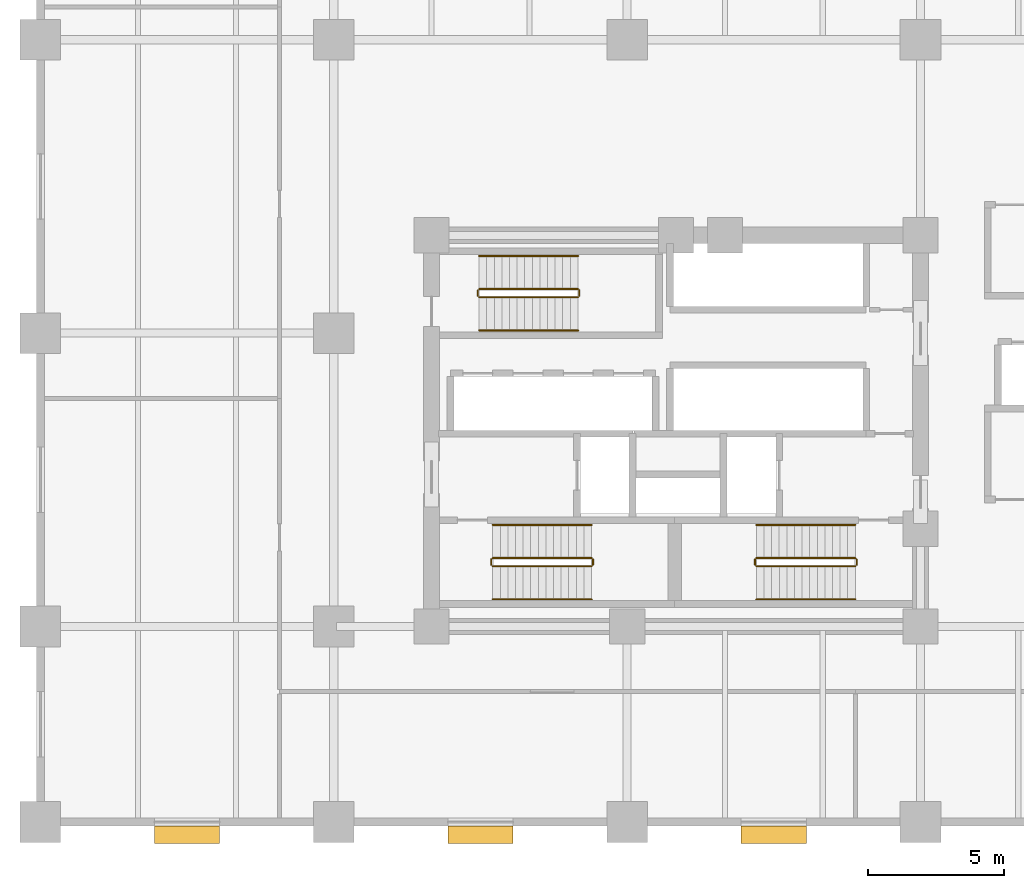
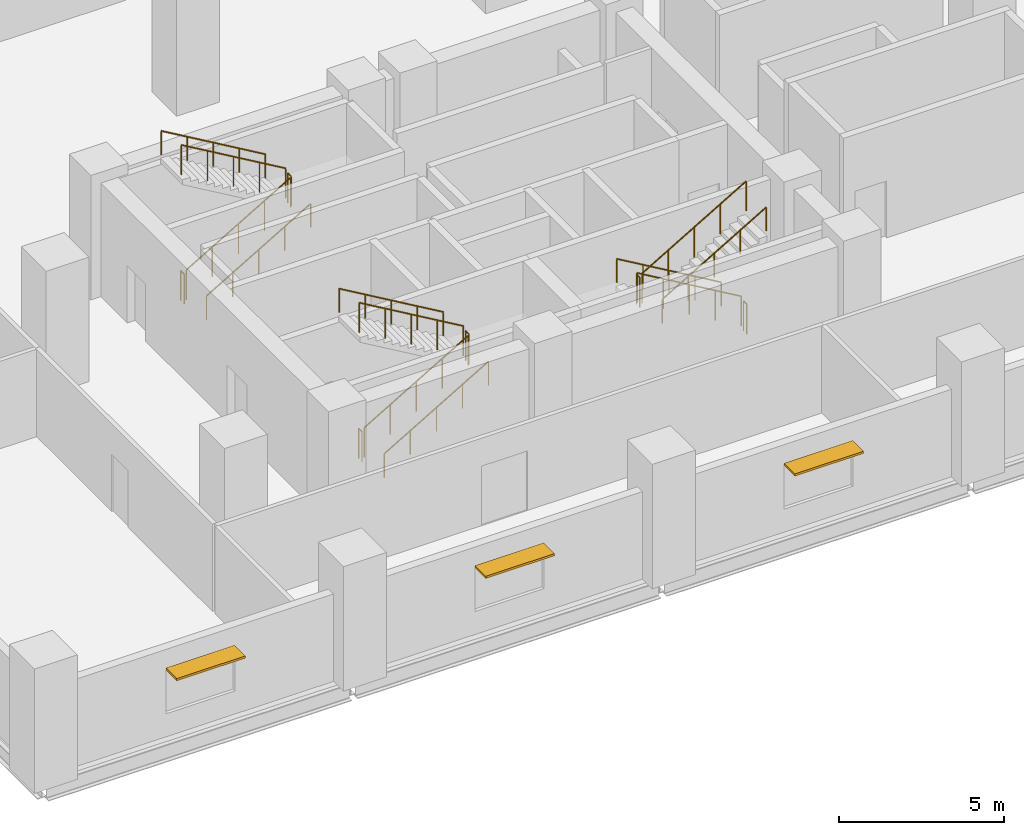
# One storey, part 7 of 8: 18 railings, 3 shading devices.
"""IFC4 building model written with IfcOpenShell, lengths in metres."""

from ifc_helpers import new_model, si_unit, direction, frame, origin, origin_2d, place, context, subcontext, project, spatial, rectangle, circle, extrude, material, layer, layer_set, type_object, element, save


model = new_model("IFC4")

# Units and contexts
model_context = context("Model", 3, precision=1e-05, world=origin(), true_north=direction((0.0, 1.0)))
body_context = subcontext(model_context, "Body", "Model", "MODEL_VIEW")
ifc_project = project(units=[si_unit("LENGTHUNIT", "METRE"), si_unit("AREAUNIT", "SQUARE_METRE"), si_unit("VOLUMEUNIT", "CUBIC_METRE"), si_unit("PLANEANGLEUNIT", "RADIAN"), si_unit("MASSUNIT", "GRAM", prefix="KILO")], contexts=[model_context])

# Site, building, storey
site_placement = place(None, origin())
site = spatial("IfcSite", under=ifc_project, at=site_placement, CompositionType="ELEMENT")
building_placement = place(site_placement, origin())
building = spatial("IfcBuilding", under=site, at=building_placement, Name="Solnavia Interchange Tower", CompositionType="ELEMENT")
storey_placement = place(building_placement, frame((0.0, 0.0, 19.39990234375)))
storey = spatial("IfcBuildingStorey", under=building, at=storey_placement, Name="L04", CompositionType="ELEMENT", Elevation=19.39990234375)

# Railings
ifc_material_1 = material(Name="Painted Steel Balustrade", Category="steel")
railing_type_1 = type_object("IfcRailingType", Name="Railing-StairGuard-1100", PredefinedType="GUARDRAIL", material=ifc_material_1)
railing_1_placement = place(storey_placement, frame((16.64990234375, 13.02001953125, 0.164306640625)))
element("IfcRailing", 1, at=railing_1_placement, inside=storey, type_object=railing_type_1, Name="L04 ST-1 stair guard 1", PredefinedType="GUARDRAIL", context=body_context, shape_type="SweptSolid", body=[
    extrude(circle(Radius=0.02392578125, at=origin_2d()), frame((0.0, 0.0, 1.09619140625), z_axis=(0.862504707072, 0.0, 0.506049039401), x_axis=(0.0, 1.0, 0.0)), (0.0, 0.0, 1.0), 4.220458984375),
    extrude(circle(Radius=0.02099609375, at=origin_2d()), origin(), (0.0, 0.0, 1.0), 1.072021484375),
    extrude(circle(Radius=0.02099609375, at=origin_2d()), frame((0.91015625, 0.0, 0.533935546875)), (0.0, 0.0, 1.0), 1.072021484375),
    extrude(circle(Radius=0.02099609375, at=origin_2d()), frame((1.820068359375, 0.0, 1.06787109375)), (0.0, 0.0, 1.0), 1.072021484375),
    extrude(circle(Radius=0.02099609375, at=origin_2d()), frame((2.72998046875, 0.0, 1.601806640625)), (0.0, 0.0, 1.0), 1.072021484375),
    extrude(circle(Radius=0.02099609375, at=origin_2d()), frame((3.64013671875, 0.0, 2.1357421875)), (0.0, 0.0, 1.0), 1.072021484375),
])
railing_2_placement = place(storey_placement, frame((20.340087890625, 13.070068359375, 2.300048828125)))
element("IfcRailing", 2, at=railing_2_placement, inside=storey, type_object=railing_type_1, Name="L04 ST-1 stair guard 2", PredefinedType="GUARDRAIL", context=body_context, shape_type="SweptSolid", body=[
    extrude(circle(Radius=0.02392578125, at=origin_2d()), frame((0.0, 0.0, 1.09619140625), z_axis=(0.0, 1.0, 0.0), x_axis=(-1.0, 0.0, 0.0)), (0.0, 0.0, 1.0), 0.199951171875),
    extrude(circle(Radius=0.02099609375, at=origin_2d()), origin(), (0.0, 0.0, 1.0), 1.072021484375),
    extrude(circle(Radius=0.02099609375, at=origin_2d()), frame((0.0, 0.199951171875, 0.0)), (0.0, 0.0, 1.0), 1.072021484375),
])
railing_3_placement = place(storey_placement, frame((20.2900390625, 13.320068359375, 2.46435546875)))
element("IfcRailing", 3, at=railing_3_placement, inside=storey, type_object=railing_type_1, Name="L04 ST-1 stair guard 3", PredefinedType="GUARDRAIL", context=body_context, shape_type="SweptSolid", body=[
    extrude(circle(Radius=0.02392578125, at=origin_2d()), frame((0.0, 0.0, 1.09619140625), z_axis=(-0.862504707072, 0.0, 0.506049039401), x_axis=(0.0, -1.0, 0.0)), (0.0, 0.0, 1.0), 4.220458984375),
    extrude(circle(Radius=0.02099609375, at=origin_2d()), origin(), (0.0, 0.0, 1.0), 1.072021484375),
    extrude(circle(Radius=0.02099609375, at=origin_2d()), frame((-0.91015625, 0.0, 0.533935546875)), (0.0, 0.0, 1.0), 1.072021484375),
    extrude(circle(Radius=0.02099609375, at=origin_2d()), frame((-1.820068359375, 0.0, 1.06787109375)), (0.0, 0.0, 1.0), 1.072021484375),
    extrude(circle(Radius=0.02099609375, at=origin_2d()), frame((-2.72998046875, 0.0, 1.601806640625)), (0.0, 0.0, 1.0), 1.072021484375),
    extrude(circle(Radius=0.02099609375, at=origin_2d()), frame((-3.64013671875, 0.0, 2.1357421875)), (0.0, 0.0, 1.0), 1.072021484375),
])
railing_4_placement = place(storey_placement, frame((16.60009765625, 13.070068359375, 0.0)))
element("IfcRailing", 4, at=railing_4_placement, inside=storey, type_object=railing_type_1, Name="L04 ST-1 stair guard 4", PredefinedType="GUARDRAIL", context=body_context, shape_type="SweptSolid", body=[
    extrude(circle(Radius=0.02392578125, at=origin_2d()), frame((0.0, 0.0, 1.09619140625), z_axis=(0.0, 1.0, 0.0), x_axis=(-1.0, 0.0, 0.0)), (0.0, 0.0, 1.0), 0.199951171875),
    extrude(circle(Radius=0.02099609375, at=origin_2d()), origin(), (0.0, 0.0, 1.0), 1.072021484375),
    extrude(circle(Radius=0.02099609375, at=origin_2d()), frame((0.0, 0.199951171875, 0.0)), (0.0, 0.0, 1.0), 1.072021484375),
])
railing_5_placement = place(storey_placement, frame((30.0, 13.320068359375, 0.164306640625)))
element("IfcRailing", 5, at=railing_5_placement, inside=storey, type_object=railing_type_1, Name="L04 ST-2 stair guard 1", PredefinedType="GUARDRAIL", context=body_context, shape_type="SweptSolid", body=[
    extrude(circle(Radius=0.02392578125, at=origin_2d()), frame((0.0, 0.0, 1.09619140625), z_axis=(-0.862489892076, 0.0, 0.506074289079), x_axis=(0.0, -1.0, 0.0)), (0.0, 0.0, 1.0), 4.22021484375),
    extrude(circle(Radius=0.02099609375, at=origin_2d()), origin(), (0.0, 0.0, 1.0), 1.072021484375),
    extrude(circle(Radius=0.02099609375, at=origin_2d()), frame((-0.909912109375, 0.0, 0.533935546875)), (0.0, 0.0, 1.0), 1.072021484375),
    extrude(circle(Radius=0.02099609375, at=origin_2d()), frame((-1.81982421875, 0.0, 1.06787109375)), (0.0, 0.0, 1.0), 1.072021484375),
    extrude(circle(Radius=0.02099609375, at=origin_2d()), frame((-2.72998046875, 0.0, 1.601806640625)), (0.0, 0.0, 1.0), 1.072021484375),
    extrude(circle(Radius=0.02099609375, at=origin_2d()), frame((-3.639892578125, 0.0, 2.1357421875)), (0.0, 0.0, 1.0), 1.072021484375),
])
railing_6_placement = place(storey_placement, frame((26.31005859375, 13.27001953125, 2.300048828125)))
element("IfcRailing", 6, at=railing_6_placement, inside=storey, type_object=railing_type_1, Name="L04 ST-2 stair guard 2", PredefinedType="GUARDRAIL", context=body_context, shape_type="SweptSolid", body=[
    extrude(circle(Radius=0.02392578125, at=origin_2d()), frame((0.0, 0.0, 1.09619140625), z_axis=(0.0, -1.0, 0.0), x_axis=(1.0, 0.0, 0.0)), (0.0, 0.0, 1.0), 0.199951171875),
    extrude(circle(Radius=0.02099609375, at=origin_2d()), origin(), (0.0, 0.0, 1.0), 1.072021484375),
    extrude(circle(Radius=0.02099609375, at=origin_2d()), frame((0.0, -0.199951171875, 0.0)), (0.0, 0.0, 1.0), 1.072021484375),
])
railing_7_placement = place(storey_placement, frame((26.360107421875, 13.02001953125, 2.46435546875)))
element("IfcRailing", 7, at=railing_7_placement, inside=storey, type_object=railing_type_1, Name="L04 ST-2 stair guard 3", PredefinedType="GUARDRAIL", context=body_context, shape_type="SweptSolid", body=[
    extrude(circle(Radius=0.02392578125, at=origin_2d()), frame((0.0, 0.0, 1.09619140625), z_axis=(0.862489892076, 0.0, 0.506074289079), x_axis=(0.0, 1.0, 0.0)), (0.0, 0.0, 1.0), 4.22021484375),
    extrude(circle(Radius=0.02099609375, at=origin_2d()), origin(), (0.0, 0.0, 1.0), 1.072021484375),
    extrude(circle(Radius=0.02099609375, at=origin_2d()), frame((0.909912109375, 0.0, 0.533935546875)), (0.0, 0.0, 1.0), 1.072021484375),
    extrude(circle(Radius=0.02099609375, at=origin_2d()), frame((1.81982421875, 0.0, 1.06787109375)), (0.0, 0.0, 1.0), 1.072021484375),
    extrude(circle(Radius=0.02099609375, at=origin_2d()), frame((2.72998046875, 0.0, 1.601806640625)), (0.0, 0.0, 1.0), 1.072021484375),
    extrude(circle(Radius=0.02099609375, at=origin_2d()), frame((3.639892578125, 0.0, 2.1357421875)), (0.0, 0.0, 1.0), 1.072021484375),
])
railing_8_placement = place(storey_placement, frame((30.050048828125, 13.27001953125, 0.0)))
element("IfcRailing", 8, at=railing_8_placement, inside=storey, type_object=railing_type_1, Name="L04 ST-2 stair guard 4", PredefinedType="GUARDRAIL", context=body_context, shape_type="SweptSolid", body=[
    extrude(circle(Radius=0.02392578125, at=origin_2d()), frame((0.0, 0.0, 1.09619140625), z_axis=(0.0, -1.0, 0.0), x_axis=(1.0, 0.0, 0.0)), (0.0, 0.0, 1.0), 0.199951171875),
    extrude(circle(Radius=0.02099609375, at=origin_2d()), origin(), (0.0, 0.0, 1.0), 1.072021484375),
    extrude(circle(Radius=0.02099609375, at=origin_2d()), frame((0.0, -0.199951171875, 0.0)), (0.0, 0.0, 1.0), 1.072021484375),
])
railing_9_placement = place(storey_placement, frame((16.14990234375, 22.919921875, 0.164306640625)))
element("IfcRailing", 9, at=railing_9_placement, inside=storey, type_object=railing_type_1, Name="L04 ST-3 stair guard 1", PredefinedType="GUARDRAIL", context=body_context, shape_type="SweptSolid", body=[
    extrude(circle(Radius=0.02392578125, at=origin_2d()), frame((0.0, 0.0, 1.09619140625), z_axis=(0.862504707072, 0.0, 0.506049039401), x_axis=(0.0, 1.0, 0.0)), (0.0, 0.0, 1.0), 4.220458984375),
    extrude(circle(Radius=0.02099609375, at=origin_2d()), origin(), (0.0, 0.0, 1.0), 1.072021484375),
    extrude(circle(Radius=0.02099609375, at=origin_2d()), frame((0.91015625, 0.0, 0.533935546875)), (0.0, 0.0, 1.0), 1.072021484375),
    extrude(circle(Radius=0.02099609375, at=origin_2d()), frame((1.820068359375, 0.0, 1.06787109375)), (0.0, 0.0, 1.0), 1.072021484375),
    extrude(circle(Radius=0.02099609375, at=origin_2d()), frame((2.72998046875, 0.0, 1.601806640625)), (0.0, 0.0, 1.0), 1.072021484375),
    extrude(circle(Radius=0.02099609375, at=origin_2d()), frame((3.64013671875, 0.0, 2.1357421875)), (0.0, 0.0, 1.0), 1.072021484375),
])
railing_10_placement = place(storey_placement, frame((19.840087890625, 22.969970703125, 2.300048828125)))
element("IfcRailing", 10, at=railing_10_placement, inside=storey, type_object=railing_type_1, Name="L04 ST-3 stair guard 2", PredefinedType="GUARDRAIL", context=body_context, shape_type="SweptSolid", body=[
    extrude(circle(Radius=0.02392578125, at=origin_2d()), frame((0.0, 0.0, 1.09619140625), z_axis=(0.0, 1.0, 0.0), x_axis=(-1.0, 0.0, 0.0)), (0.0, 0.0, 1.0), 0.199951171875),
    extrude(circle(Radius=0.02099609375, at=origin_2d()), origin(), (0.0, 0.0, 1.0), 1.072021484375),
    extrude(circle(Radius=0.02099609375, at=origin_2d()), frame((0.0, 0.199951171875, 0.0)), (0.0, 0.0, 1.0), 1.072021484375),
])
railing_11_placement = place(storey_placement, frame((19.7900390625, 23.219970703125, 2.46435546875)))
element("IfcRailing", 11, at=railing_11_placement, inside=storey, type_object=railing_type_1, Name="L04 ST-3 stair guard 3", PredefinedType="GUARDRAIL", context=body_context, shape_type="SweptSolid", body=[
    extrude(circle(Radius=0.02392578125, at=origin_2d()), frame((0.0, 0.0, 1.09619140625), z_axis=(-0.862504707072, 0.0, 0.506049039401), x_axis=(0.0, -1.0, 0.0)), (0.0, 0.0, 1.0), 4.220458984375),
    extrude(circle(Radius=0.02099609375, at=origin_2d()), origin(), (0.0, 0.0, 1.0), 1.072021484375),
    extrude(circle(Radius=0.02099609375, at=origin_2d()), frame((-0.91015625, 0.0, 0.533935546875)), (0.0, 0.0, 1.0), 1.072021484375),
    extrude(circle(Radius=0.02099609375, at=origin_2d()), frame((-1.820068359375, 0.0, 1.06787109375)), (0.0, 0.0, 1.0), 1.072021484375),
    extrude(circle(Radius=0.02099609375, at=origin_2d()), frame((-2.72998046875, 0.0, 1.601806640625)), (0.0, 0.0, 1.0), 1.072021484375),
    extrude(circle(Radius=0.02099609375, at=origin_2d()), frame((-3.64013671875, 0.0, 2.1357421875)), (0.0, 0.0, 1.0), 1.072021484375),
])
railing_12_placement = place(storey_placement, frame((16.10009765625, 22.969970703125, 0.0)))
element("IfcRailing", 12, at=railing_12_placement, inside=storey, type_object=railing_type_1, Name="L04 ST-3 stair guard 4", PredefinedType="GUARDRAIL", context=body_context, shape_type="SweptSolid", body=[
    extrude(circle(Radius=0.02392578125, at=origin_2d()), frame((0.0, 0.0, 1.09619140625), z_axis=(0.0, 1.0, 0.0), x_axis=(-1.0, 0.0, 0.0)), (0.0, 0.0, 1.0), 0.199951171875),
    extrude(circle(Radius=0.02099609375, at=origin_2d()), origin(), (0.0, 0.0, 1.0), 1.072021484375),
    extrude(circle(Radius=0.02099609375, at=origin_2d()), frame((0.0, 0.199951171875, 0.0)), (0.0, 0.0, 1.0), 1.072021484375),
])
ifc_material_2 = material(Name="Brushed Stainless Steel", Category="steel")
railing_type_2 = type_object("IfcRailingType", Name="Railing-StairHandrail-900", PredefinedType="HANDRAIL", material=ifc_material_2)
railing_13_placement = place(storey_placement, frame((16.64990234375, 11.800048828125, 0.164306640625)))
element("IfcRailing", 13, at=railing_13_placement, inside=storey, type_object=railing_type_2, Name="L04 ST-1 stair handrail 1", PredefinedType="HANDRAIL", context=body_context, shape_type="SweptSolid", body=[
    extrude(circle(Radius=0.02392578125, at=origin_2d()), frame((0.0, 0.0, 0.8759765625), z_axis=(0.862504707072, 0.0, 0.506049039401), x_axis=(0.0, 1.0, 0.0)), (0.0, 0.0, 1.0), 4.220458984375),
    extrude(circle(Radius=0.02099609375, at=origin_2d()), origin(), (0.0, 0.0, 1.0), 0.851806640625),
    extrude(circle(Radius=0.02099609375, at=origin_2d()), frame((0.91015625, 0.0, 0.533935546875)), (0.0, 0.0, 1.0), 0.851806640625),
    extrude(circle(Radius=0.02099609375, at=origin_2d()), frame((1.820068359375, 0.0, 1.06787109375)), (0.0, 0.0, 1.0), 0.851806640625),
    extrude(circle(Radius=0.02099609375, at=origin_2d()), frame((2.72998046875, 0.0, 1.601806640625)), (0.0, 0.0, 1.0), 0.851806640625),
    extrude(circle(Radius=0.02099609375, at=origin_2d()), frame((3.64013671875, 0.0, 2.1357421875)), (0.0, 0.0, 1.0), 0.851806640625),
])
railing_14_placement = place(storey_placement, frame((20.2900390625, 14.5400390625, 2.46435546875)))
element("IfcRailing", 14, at=railing_14_placement, inside=storey, type_object=railing_type_2, Name="L04 ST-1 stair handrail 2", PredefinedType="HANDRAIL", context=body_context, shape_type="SweptSolid", body=[
    extrude(circle(Radius=0.02392578125, at=origin_2d()), frame((0.0, 0.0, 0.8759765625), z_axis=(-0.862504707072, 0.0, 0.506049039401), x_axis=(0.0, -1.0, 0.0)), (0.0, 0.0, 1.0), 4.220458984375),
    extrude(circle(Radius=0.02099609375, at=origin_2d()), origin(), (0.0, 0.0, 1.0), 0.851806640625),
    extrude(circle(Radius=0.02099609375, at=origin_2d()), frame((-0.91015625, 0.0, 0.533935546875)), (0.0, 0.0, 1.0), 0.851806640625),
    extrude(circle(Radius=0.02099609375, at=origin_2d()), frame((-1.820068359375, 0.0, 1.06787109375)), (0.0, 0.0, 1.0), 0.851806640625),
    extrude(circle(Radius=0.02099609375, at=origin_2d()), frame((-2.72998046875, 0.0, 1.601806640625)), (0.0, 0.0, 1.0), 0.851806640625),
    extrude(circle(Radius=0.02099609375, at=origin_2d()), frame((-3.64013671875, 0.0, 2.1357421875)), (0.0, 0.0, 1.0), 0.851806640625),
])
railing_15_placement = place(storey_placement, frame((30.0, 14.5400390625, 0.164306640625)))
element("IfcRailing", 15, at=railing_15_placement, inside=storey, type_object=railing_type_2, Name="L04 ST-2 stair handrail 1", PredefinedType="HANDRAIL", context=body_context, shape_type="SweptSolid", body=[
    extrude(circle(Radius=0.02392578125, at=origin_2d()), frame((0.0, 0.0, 0.8759765625), z_axis=(-0.862489892076, 0.0, 0.506074289079), x_axis=(0.0, -1.0, 0.0)), (0.0, 0.0, 1.0), 4.22021484375),
    extrude(circle(Radius=0.02099609375, at=origin_2d()), origin(), (0.0, 0.0, 1.0), 0.851806640625),
    extrude(circle(Radius=0.02099609375, at=origin_2d()), frame((-0.909912109375, 0.0, 0.533935546875)), (0.0, 0.0, 1.0), 0.851806640625),
    extrude(circle(Radius=0.02099609375, at=origin_2d()), frame((-1.81982421875, 0.0, 1.06787109375)), (0.0, 0.0, 1.0), 0.851806640625),
    extrude(circle(Radius=0.02099609375, at=origin_2d()), frame((-2.72998046875, 0.0, 1.601806640625)), (0.0, 0.0, 1.0), 0.851806640625),
    extrude(circle(Radius=0.02099609375, at=origin_2d()), frame((-3.639892578125, 0.0, 2.1357421875)), (0.0, 0.0, 1.0), 0.851806640625),
])
railing_16_placement = place(storey_placement, frame((26.360107421875, 11.800048828125, 2.46435546875)))
element("IfcRailing", 16, at=railing_16_placement, inside=storey, type_object=railing_type_2, Name="L04 ST-2 stair handrail 2", PredefinedType="HANDRAIL", context=body_context, shape_type="SweptSolid", body=[
    extrude(circle(Radius=0.02392578125, at=origin_2d()), frame((0.0, 0.0, 0.8759765625), z_axis=(0.862489892076, 0.0, 0.506074289079), x_axis=(0.0, 1.0, 0.0)), (0.0, 0.0, 1.0), 4.22021484375),
    extrude(circle(Radius=0.02099609375, at=origin_2d()), origin(), (0.0, 0.0, 1.0), 0.851806640625),
    extrude(circle(Radius=0.02099609375, at=origin_2d()), frame((0.909912109375, 0.0, 0.533935546875)), (0.0, 0.0, 1.0), 0.851806640625),
    extrude(circle(Radius=0.02099609375, at=origin_2d()), frame((1.81982421875, 0.0, 1.06787109375)), (0.0, 0.0, 1.0), 0.851806640625),
    extrude(circle(Radius=0.02099609375, at=origin_2d()), frame((2.72998046875, 0.0, 1.601806640625)), (0.0, 0.0, 1.0), 0.851806640625),
    extrude(circle(Radius=0.02099609375, at=origin_2d()), frame((3.639892578125, 0.0, 2.1357421875)), (0.0, 0.0, 1.0), 0.851806640625),
])
railing_17_placement = place(storey_placement, frame((16.14990234375, 21.699951171875, 0.164306640625)))
element("IfcRailing", 17, at=railing_17_placement, inside=storey, type_object=railing_type_2, Name="L04 ST-3 stair handrail 1", PredefinedType="HANDRAIL", context=body_context, shape_type="SweptSolid", body=[
    extrude(circle(Radius=0.02392578125, at=origin_2d()), frame((0.0, 0.0, 0.8759765625), z_axis=(0.862504707072, 0.0, 0.506049039401), x_axis=(0.0, 1.0, 0.0)), (0.0, 0.0, 1.0), 4.220458984375),
    extrude(circle(Radius=0.02099609375, at=origin_2d()), origin(), (0.0, 0.0, 1.0), 0.851806640625),
    extrude(circle(Radius=0.02099609375, at=origin_2d()), frame((0.91015625, 0.0, 0.533935546875)), (0.0, 0.0, 1.0), 0.851806640625),
    extrude(circle(Radius=0.02099609375, at=origin_2d()), frame((1.820068359375, 0.0, 1.06787109375)), (0.0, 0.0, 1.0), 0.851806640625),
    extrude(circle(Radius=0.02099609375, at=origin_2d()), frame((2.72998046875, 0.0, 1.601806640625)), (0.0, 0.0, 1.0), 0.851806640625),
    extrude(circle(Radius=0.02099609375, at=origin_2d()), frame((3.64013671875, 0.0, 2.1357421875)), (0.0, 0.0, 1.0), 0.851806640625),
])
railing_18_placement = place(storey_placement, frame((19.7900390625, 24.43994140625, 2.46435546875)))
element("IfcRailing", 18, at=railing_18_placement, inside=storey, type_object=railing_type_2, Name="L04 ST-3 stair handrail 2", PredefinedType="HANDRAIL", context=body_context, shape_type="SweptSolid", body=[
    extrude(circle(Radius=0.02392578125, at=origin_2d()), frame((0.0, 0.0, 0.8759765625), z_axis=(-0.862504707072, 0.0, 0.506049039401), x_axis=(0.0, -1.0, 0.0)), (0.0, 0.0, 1.0), 4.220458984375),
    extrude(circle(Radius=0.02099609375, at=origin_2d()), origin(), (0.0, 0.0, 1.0), 0.851806640625),
    extrude(circle(Radius=0.02099609375, at=origin_2d()), frame((-0.91015625, 0.0, 0.533935546875)), (0.0, 0.0, 1.0), 0.851806640625),
    extrude(circle(Radius=0.02099609375, at=origin_2d()), frame((-1.820068359375, 0.0, 1.06787109375)), (0.0, 0.0, 1.0), 0.851806640625),
    extrude(circle(Radius=0.02099609375, at=origin_2d()), frame((-2.72998046875, 0.0, 1.601806640625)), (0.0, 0.0, 1.0), 0.851806640625),
    extrude(circle(Radius=0.02099609375, at=origin_2d()), frame((-3.64013671875, 0.0, 2.1357421875)), (0.0, 0.0, 1.0), 0.851806640625),
])

# Shading devices
ifc_material_3 = material(Name="Anodised Aluminium Sunshade", Category="aluminium")
ifc_layer = layer(ifc_material_3, 0.080078125)
ifc_layer_set = layer_set([ifc_layer], Name="Anodised Aluminium Sunshade")
shading_device_type = type_object("IfcShadingDeviceType", Name="Sunshade-Band-650", PredefinedType="SHUTTER", material=ifc_layer_set)
for number, where, z_axis, x_axis, name in (
    (19, (5.39990234375, 3.1298828125, 2.4599609375), (0.0, 0.0, 1.0), (1.0, 0.0, 0.0), "SHD-L04-S01 South horizontal sunshade band"),
    (20, (16.199951171875, 3.1298828125, 2.4599609375), (0.0, 0.0, 1.0), (1.0, 0.0, 0.0), "SHD-L04-S02 South horizontal sunshade band"),
    (21, (27.0, 3.1298828125, 2.4599609375), (0.0, 0.0, 1.0), (1.0, 0.0, 0.0), "SHD-L04-S03 South horizontal sunshade band"),
):
    element("IfcShadingDevice", number, at=place(storey_placement, frame(where, z_axis=z_axis, x_axis=x_axis)), inside=storey, type_object=shading_device_type, Name=name, PredefinedType="SHUTTER", context=body_context, shape_type="SweptSolid", body=[
        extrude(rectangle(XDim=2.39990234375, YDim=0.64990234375, at=origin_2d()), origin(), (0.0, 0.0, 1.0), 0.080078125),
    ])

save(model, "model.ifc")
